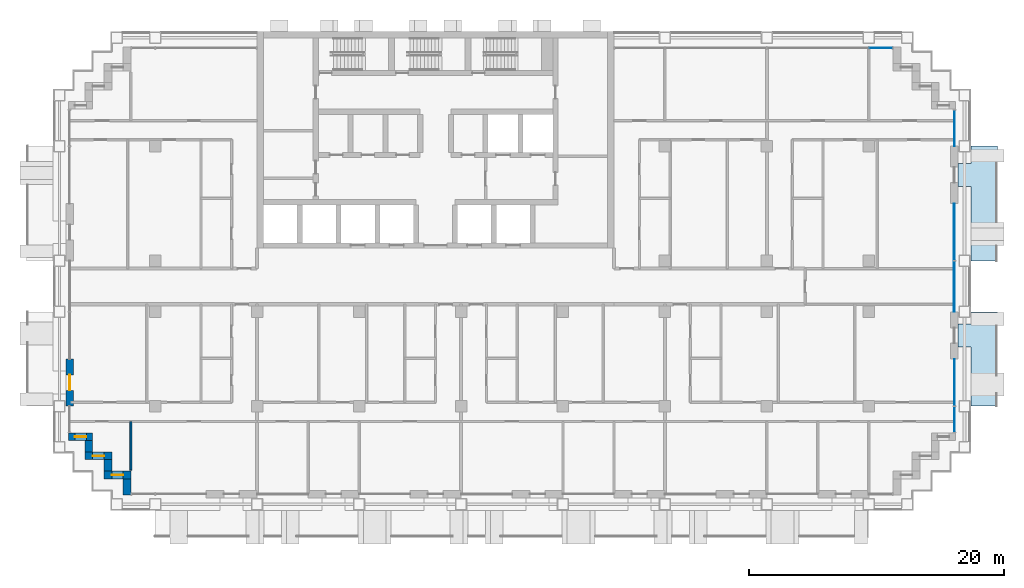
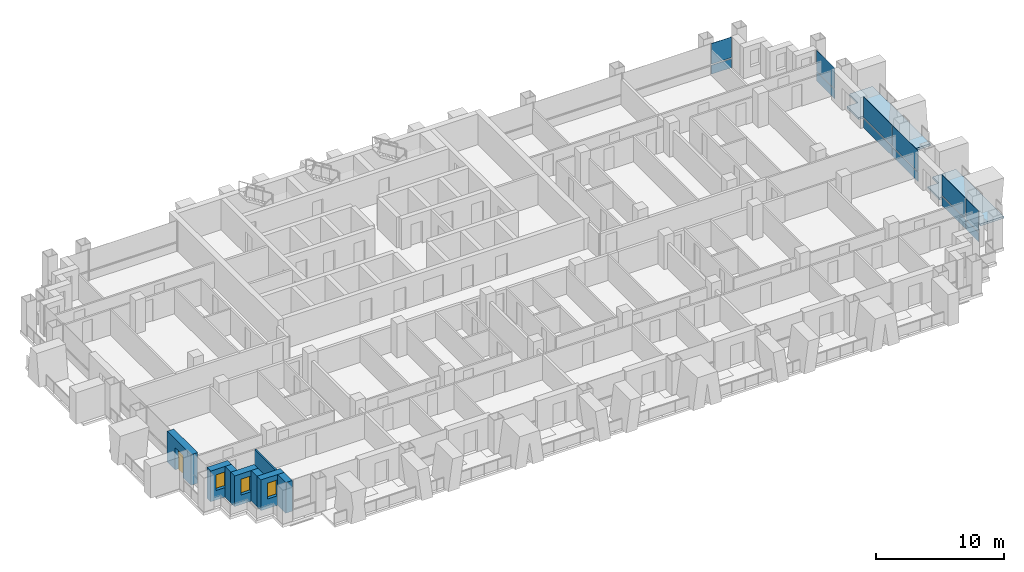
# One storey, part 8 of 17: 12 plates, 8 walls, 3 windows, 2 slabs, 1 door, 4 openings, 4 elements without a shape of their own.
"""IFC4 building model written with IfcOpenShell, lengths in metres."""

import ifcopenshell
import ifcopenshell.guid

model = None  # the IFC model being written
_history = None  # IfcOwnerHistory: only IFC2X3 demands one
_inside = {}  # id of a spatial element -> (the spatial element, [elements in it])
_under = {}  # id of a project, library or spatial element -> (it, [spatial elements below it])
_declared = {}  # id of a project -> (the project, [libraries it declares])
_typed = {}  # id of a type object -> (the type object, [elements of that type])
_made_of = {}  # id of a material, layer set ... -> (it, [elements and type objects made of it])


def new_model(schema):
    """Start an empty IFC model of exactly this schema.

    Asked for "IFC4X3", IfcOpenShell would pick the latest addendum, in which some entities
    have other attributes; the version numbers below select the first issue.
    IFC2X3 requires an IfcOwnerHistory on every rooted entity: one is made here for all.
    """
    global model, _history
    if schema == "IFC4X3":
        model = ifcopenshell.file(schema_version=(4, 3, 0, 0))
    else:
        model = ifcopenshell.file(schema=schema)
    _inside.clear()
    _under.clear()
    _declared.clear()
    _typed.clear()
    _made_of.clear()
    _history = None
    if model.schema == "IFC2X3":
        org = make("IfcOrganization", Name="unknown")
        user = make(
            "IfcPersonAndOrganization",
            ThePerson=make("IfcPerson", FamilyName="unknown"),
            TheOrganization=org,
        )
        app = make(
            "IfcApplication",
            ApplicationDeveloper=org,
            Version="unknown",
            ApplicationFullName="unknown",
            ApplicationIdentifier="unknown",
        )
        _history = make(
            "IfcOwnerHistory",
            OwningUser=user,
            OwningApplication=app,
            ChangeAction="ADDED",
            CreationDate=0,
        )
    return model


def make(cls, **values):
    """One entity of the class cls with the attributes given. An attribute that is None is left unset."""
    return model.create_entity(
        cls, **{name: value for name, value in values.items() if value is not None}
    )


def rooted(cls, **values):
    """An entity with a GlobalId (a new one), such as an element, a storey or a relation."""
    return make(cls, GlobalId=ifcopenshell.guid.new(), OwnerHistory=_history, **values)


def si_unit(unit_type, name, prefix=None):
    """IfcSIUnit, for example si_unit("LENGTHUNIT", "METRE", prefix="MILLI")."""
    return make("IfcSIUnit", UnitType=unit_type, Prefix=prefix, Name=name)


def assignment(units):
    """IfcUnitAssignment: the units of a project."""
    return None if units is None else make("IfcUnitAssignment", Units=units)


def point(xyz):
    """IfcCartesianPoint."""
    return None if xyz is None else make("IfcCartesianPoint", Coordinates=xyz)


def direction(xyz):
    """IfcDirection."""
    return None if xyz is None else make("IfcDirection", DirectionRatios=xyz)


def frame(location, z_axis=None, x_axis=None):
    """IfcAxis2Placement3D, a coordinate frame: its origin and axes. An axis left out is left unset."""
    return make(
        "IfcAxis2Placement3D",
        Location=point(location),
        Axis=direction(z_axis),
        RefDirection=direction(x_axis),
    )


def frame_2d(location, x_axis=None):
    """IfcAxis2Placement2D, a coordinate frame in the plane: its origin and x axis."""
    return make(
        "IfcAxis2Placement2D", Location=point(location), RefDirection=direction(x_axis)
    )


def origin():
    """The frame at (0, 0, 0) with its axes left unset."""
    return frame((0.0, 0.0, 0.0))


def origin_2d():
    """The frame at (0, 0) in the plane with its x axis left unset."""
    return frame_2d((0.0, 0.0))


def place(relative_to, where):
    """IfcLocalPlacement: puts the frame where relative to a parent placement (None: the world)."""
    return make(
        "IfcLocalPlacement", PlacementRelTo=relative_to, RelativePlacement=where
    )


def context(
    kind, dimensions, precision=None, world=None, true_north=None, identifier=None
):
    """IfcGeometricRepresentationContext, for example the 3D "Model" context."""
    return make(
        "IfcGeometricRepresentationContext",
        ContextIdentifier=identifier,
        ContextType=kind,
        CoordinateSpaceDimension=dimensions,
        Precision=precision,
        WorldCoordinateSystem=world,
        TrueNorth=true_north,
    )


def subcontext(parent, identifier, kind, view, scale=None):
    """IfcGeometricRepresentationSubContext, for example "Body" below "Model"."""
    return make(
        "IfcGeometricRepresentationSubContext",
        ContextIdentifier=identifier,
        ContextType=kind,
        ParentContext=parent,
        TargetScale=scale,
        TargetView=view,
    )


def project(units=None, contexts=None):
    """IfcProject with its units and contexts."""
    return rooted(
        "IfcProject",
        Name="project",
        RepresentationContexts=contexts,
        UnitsInContext=assignment(units),
    )


def spatial(cls, under=None, at=None, **own):
    """A site, building, storey or space (cls), placed at a placement, below another one or the project."""
    s = rooted(cls, ObjectPlacement=at, **own)
    if under is not None:
        _under.setdefault(under.id(), (under, []))[1].append(s)
    return s


def polyline(points):
    """IfcPolyline through the points."""
    return make("IfcPolyline", Points=[point(p) for p in points])


def profile(cls, at=None, kind="AREA", **sizes):
    """A parametric profile (cls). Its sizes go by their IFC names, for example OverallWidth=200.0."""
    return make(cls, ProfileType=kind, Position=at, **sizes)


def rectangle(**sizes):
    """IfcRectangleProfileDef."""
    return profile("IfcRectangleProfileDef", **sizes)


def outline(outer, holes=None, kind="AREA"):
    """IfcArbitraryClosedProfileDef: a profile drawn as a closed curve; with holes, ...WithVoids."""
    if holes is None:
        return make("IfcArbitraryClosedProfileDef", ProfileType=kind, OuterCurve=outer)
    return make(
        "IfcArbitraryProfileDefWithVoids",
        ProfileType=kind,
        OuterCurve=outer,
        InnerCurves=holes,
    )


def extrude(swept, where, along, depth):
    """IfcExtrudedAreaSolid: the profile swept, set in the frame where, extruded along a direction by depth."""
    return make(
        "IfcExtrudedAreaSolid",
        SweptArea=swept,
        Position=where,
        ExtrudedDirection=direction(along),
        Depth=depth,
    )


def shape(context_of_items, identifier, shape_type, items):
    """IfcShapeRepresentation: the items that make up one representation, for example the "Body"."""
    return make(
        "IfcShapeRepresentation",
        ContextOfItems=context_of_items,
        RepresentationIdentifier=identifier,
        RepresentationType=shape_type,
        Items=items,
    )


def material(Name=None, Category=None):
    """IfcMaterial."""
    return make("IfcMaterial", Name=Name, Category=Category)


def layer(
    of_material, thickness, ventilated=None, Name=None, Category=None, Priority=None
):
    """IfcMaterialLayer: one layer of a wall or slab, of a material (None: an air gap)."""
    return make(
        "IfcMaterialLayer",
        Material=of_material,
        LayerThickness=thickness,
        IsVentilated=ventilated,
        Name=Name,
        Category=Category,
        Priority=Priority,
    )


def layer_set(layers, Name=None):
    """IfcMaterialLayerSet."""
    return make("IfcMaterialLayerSet", MaterialLayers=layers, LayerSetName=Name)


def made_of(thing, what):
    """Note that an element or type object is made of a material, layer set ...; save() writes the relation."""
    if what is not None:
        _made_of.setdefault(what.id(), (what, []))[1].append(thing)
    return thing


def type_object(cls, material=None, **own):
    """A type object (cls), such as IfcWallType, which elements share."""
    return made_of(rooted(cls, **own), material)


def element(
    cls,
    number,
    at=None,
    inside=None,
    cuts=None,
    type_object=None,
    material=None,
    context=None,
    identifier="Body",
    shape_type=None,
    held_by="IfcProductDefinitionShape",
    body=None,
    shapes=None,
    **own,
):
    """One element of the class cls, such as IfcWall. Its Tag is "e" and its number.

    at: its placement. inside: the storey or other place that contains it. cuts: it is an
    opening in that element (IfcRelVoidsElement). A single representation is given by context,
    identifier, shape_type and body (its items); several are given by shapes. held_by: the class
    of the entity that holds the representations. save() writes the other relations.
    """
    e = rooted(cls, Tag="e%d" % number, ObjectPlacement=at, **own)
    if body is not None:
        shapes = [shape(context, identifier, shape_type, body)]
    if shapes is not None:
        e.Representation = make(held_by, Representations=shapes)
    if inside is not None:
        _inside.setdefault(inside.id(), (inside, []))[1].append(e)
    if cuts is not None:
        rooted(
            "IfcRelVoidsElement", RelatingBuildingElement=cuts, RelatedOpeningElement=e
        )
    if type_object is not None:
        _typed.setdefault(type_object.id(), (type_object, []))[1].append(e)
    return made_of(e, material)


def fill(opening, filler):
    """IfcRelFillsElement: the door or window that sits in an opening."""
    return rooted(
        "IfcRelFillsElement",
        RelatingOpeningElement=opening,
        RelatedBuildingElement=filler,
    )


def aggregate(whole, parts):
    """IfcRelAggregates: a whole, such as a stair, and the parts it consists of."""
    return rooted("IfcRelAggregates", RelatingObject=whole, RelatedObjects=parts)


def save(model, path):
    """Write the relations noted so far, then the file.

    IfcRelAggregates (storeys below a building ...), IfcRelContainedInSpatialStructure (elements
    in a storey), IfcRelDefinesByType, IfcRelAssociatesMaterial and IfcRelDeclares: one each for
    every whole, place, type object, material and project.
    """
    for whole, parts in _under.values():
        aggregate(whole, parts)
    for where, things in _inside.values():
        rooted(
            "IfcRelContainedInSpatialStructure",
            RelatedElements=things,
            RelatingStructure=where,
        )
    for kind, things in _typed.values():
        rooted("IfcRelDefinesByType", RelatedObjects=things, RelatingType=kind)
    for what, things in _made_of.values():
        rooted("IfcRelAssociatesMaterial", RelatedObjects=things, RelatingMaterial=what)
    for by, libraries in _declared.values():
        rooted("IfcRelDeclares", RelatingContext=by, RelatedDefinitions=libraries)
    model.write(path)


model = new_model("IFC4")

# Units and contexts
model_context = context("Model", 3, precision=1e-05, world=origin(), true_north=direction((0.0, 1.0)))
body_context = subcontext(model_context, "Body", "Model", "MODEL_VIEW")
ifc_project = project(units=[si_unit("LENGTHUNIT", "METRE"), si_unit("AREAUNIT", "SQUARE_METRE"), si_unit("VOLUMEUNIT", "CUBIC_METRE"), si_unit("PLANEANGLEUNIT", "RADIAN"), si_unit("MASSUNIT", "GRAM", prefix="KILO")], contexts=[model_context])

# Site, building, storey
site_placement = place(None, origin())
site = spatial("IfcSite", under=ifc_project, at=site_placement, CompositionType="ELEMENT")
building_placement = place(site_placement, origin())
building = spatial("IfcBuilding", under=site, at=building_placement, Name="Vidyagriha Tower", CompositionType="ELEMENT")
storey_placement = place(building_placement, frame((0.0, 0.0, 87.10009765625)))
storey = spatial("IfcBuildingStorey", under=building, at=storey_placement, Name="L22", CompositionType="ELEMENT", Elevation=87.10009765625)

# Curtain wall, plate
ifc_material_1 = material(Name="Aluminium and glass curtain wall", Category="aluminium")
curtain_wall_type = type_object("IfcCurtainWallType", Name="Dwelling skin unitised curtain wall", PredefinedType="USERDEFINED", material=ifc_material_1)
curtain_wall_1_placement = place(storey_placement, origin())
curtain_wall_1 = element("IfcCurtainWall", 1, at=curtain_wall_1_placement, inside=storey, type_object=curtain_wall_type, Name="CW1 dwelling skin", ObjectType="UNITISED", PredefinedType="USERDEFINED")
ifc_material_2 = material(Name="Glass dark ceramic-fritted spandrel", Category="glass")
ifc_layer_1 = layer(ifc_material_2, 0.0400390625)
ifc_layer_set_1 = layer_set([ifc_layer_1], Name="Glass dark ceramic-fritted spandrel")
plate_type_1 = type_object("IfcPlateType", Name="Ceramic-fritted spandrel panel", PredefinedType="CURTAIN_PANEL", material=ifc_layer_set_1)
plate_1_placement = place(storey_placement, frame((34.9326171875, 18.699951171875, -0.000244140625), z_axis=(0.0, 0.0, 1.0), x_axis=(-1.0, 0.0, 0.0)))
plate_1 = element("IfcPlate", 2, at=plate_1_placement, type_object=plate_type_1, Name="CW1 panel 1.1", PredefinedType="CURTAIN_PANEL", context=body_context, shape_type="SweptSolid", body=[
    extrude(rectangle(XDim=1.794921875, YDim=0.0400390625, at=origin_2d()), origin(), (0.0, 0.0, 1.0), 0.85009765625),
])

# Curtain wall, plates
curtain_wall_2_placement = place(storey_placement, origin())
curtain_wall_2 = element("IfcCurtainWall", 3, at=curtain_wall_2_placement, inside=storey, type_object=curtain_wall_type, Name="CW1 dwelling skin", ObjectType="UNITISED", PredefinedType="USERDEFINED")
plate_2_placement = place(storey_placement, frame((40.699951171875, -10.4326171875, -0.000244140625), z_axis=(0.0, 0.0, 1.0), x_axis=(0.0, 1.0, 0.0)))
plate_2 = element("IfcPlate", 4, at=plate_2_placement, type_object=plate_type_1, Name="CW1 panel 1.1", PredefinedType="CURTAIN_PANEL", context=body_context, shape_type="SweptSolid", body=[
    extrude(rectangle(XDim=1.9951171875, YDim=0.0400390625, at=origin_2d()), origin(), (0.0, 0.0, 1.0), 0.85009765625),
])
plate_3_placement = place(storey_placement, frame((40.699951171875, -7.532470703125, -0.000244140625), z_axis=(0.0, 0.0, 1.0), x_axis=(0.0, 1.0, 0.0)))
plate_3 = element("IfcPlate", 5, at=plate_3_placement, type_object=plate_type_1, Name="CW1 panel 2.1", PredefinedType="CURTAIN_PANEL", context=body_context, shape_type="SweptSolid", body=[
    extrude(rectangle(XDim=3.6650390625, YDim=0.0400390625, at=origin_2d()), origin(), (0.0, 0.0, 1.0), 0.85009765625),
])

# Curtain wall, plate
curtain_wall_3_placement = place(storey_placement, origin())
curtain_wall_3 = element("IfcCurtainWall", 6, at=curtain_wall_3_placement, inside=storey, type_object=curtain_wall_type, Name="CW1 dwelling skin", ObjectType="UNITISED", PredefinedType="USERDEFINED")
plate_4_placement = place(storey_placement, frame((40.699951171875, 12.4150390625, -0.000244140625), z_axis=(0.0, 0.0, 1.0), x_axis=(0.0, 1.0, 0.0)))
plate_4 = element("IfcPlate", 7, at=plate_4_placement, type_object=plate_type_1, Name="CW1 panel 1.1", PredefinedType="CURTAIN_PANEL", context=body_context, shape_type="SweptSolid", body=[
    extrude(rectangle(XDim=2.830078125, YDim=0.0400390625, at=origin_2d()), origin(), (0.0, 0.0, 1.0), 0.85009765625),
])

# Plate
ifc_material_3 = material(Name="Glass dark ceramic-fritted", Category="glass")
ifc_layer_2 = layer(ifc_material_3, 0.028076171875)
ifc_layer_set_2 = layer_set([ifc_layer_2], Name="Glass dark ceramic-fritted")
plate_type_2 = type_object("IfcPlateType", Name="Dark ceramic-fritted vision glass panel", PredefinedType="CURTAIN_PANEL", material=ifc_layer_set_2)
plate_5_placement = place(storey_placement, frame((34.9326171875, 18.699951171875, 0.94970703125), z_axis=(0.0, 0.0, 1.0), x_axis=(-1.0, 0.0, 0.0)))
plate_5 = element("IfcPlate", 8, at=plate_5_placement, type_object=plate_type_2, Name="CW1 panel 1.2", PredefinedType="CURTAIN_PANEL", context=body_context, shape_type="SweptSolid", body=[
    extrude(rectangle(XDim=1.794921875, YDim=0.028076171875, at=origin_2d()), origin(), (0.0, 0.0, 1.0), 1.969970703125),
])

aggregate(curtain_wall_1, [plate_1, plate_5])

plate_6_placement = place(storey_placement, frame((40.699951171875, -10.4326171875, 0.94970703125), z_axis=(0.0, 0.0, 1.0), x_axis=(0.0, 1.0, 0.0)))
plate_6 = element("IfcPlate", 9, at=plate_6_placement, type_object=plate_type_2, Name="CW1 panel 1.2", PredefinedType="CURTAIN_PANEL", context=body_context, shape_type="SweptSolid", body=[
    extrude(rectangle(XDim=1.9951171875, YDim=0.028076171875, at=origin_2d()), origin(), (0.0, 0.0, 1.0), 1.969970703125),
])

plate_7_placement = place(storey_placement, frame((40.699951171875, -7.532470703125, 0.94970703125), z_axis=(0.0, 0.0, 1.0), x_axis=(0.0, 1.0, 0.0)))
plate_7 = element("IfcPlate", 10, at=plate_7_placement, type_object=plate_type_2, Name="CW1 panel 2.2", PredefinedType="CURTAIN_PANEL", context=body_context, shape_type="SweptSolid", body=[
    extrude(rectangle(XDim=3.6650390625, YDim=0.028076171875, at=origin_2d()), origin(), (0.0, 0.0, 1.0), 1.969970703125),
])

aggregate(curtain_wall_2, [plate_2, plate_6, plate_3, plate_7])

# Curtain wall, plates
curtain_wall_4_placement = place(storey_placement, origin())
curtain_wall_4 = element("IfcCurtainWall", 11, at=curtain_wall_4_placement, inside=storey, type_object=curtain_wall_type, Name="CW1 dwelling skin", ObjectType="UNITISED", PredefinedType="USERDEFINED")
plate_8_placement = place(storey_placement, frame((40.699951171875, -0.017578125, 0.94970703125), z_axis=(0.0, 0.0, 1.0), x_axis=(0.0, 1.0, 0.0)))
plate_8 = element("IfcPlate", 12, at=plate_8_placement, type_object=plate_type_2, Name="CW1 panel 1.2", PredefinedType="CURTAIN_PANEL", context=body_context, shape_type="SweptSolid", body=[
    extrude(rectangle(XDim=3.965087890625, YDim=0.028076171875, at=origin_2d()), origin(), (0.0, 0.0, 1.0), 1.969970703125),
])
plate_9_placement = place(storey_placement, frame((40.699951171875, 4.267578125, 0.94970703125), z_axis=(0.0, 0.0, 1.0), x_axis=(0.0, 1.0, 0.0)))
plate_9 = element("IfcPlate", 13, at=plate_9_placement, type_object=plate_type_2, Name="CW1 panel 2.2", PredefinedType="CURTAIN_PANEL", context=body_context, shape_type="SweptSolid", body=[
    extrude(rectangle(XDim=4.465087890625, YDim=0.028076171875, at=origin_2d()), origin(), (0.0, 0.0, 1.0), 1.969970703125),
])

# Plate
plate_10_placement = place(storey_placement, frame((40.699951171875, 12.4150390625, 0.94970703125), z_axis=(0.0, 0.0, 1.0), x_axis=(0.0, 1.0, 0.0)))
plate_10 = element("IfcPlate", 14, at=plate_10_placement, type_object=plate_type_2, Name="CW1 panel 1.2", PredefinedType="CURTAIN_PANEL", context=body_context, shape_type="SweptSolid", body=[
    extrude(rectangle(XDim=2.830078125, YDim=0.028076171875, at=origin_2d()), origin(), (0.0, 0.0, 1.0), 1.969970703125),
])

aggregate(curtain_wall_3, [plate_4, plate_10])

ifc_material_4 = material(Name="Aluminium black anodised", Category="aluminium")
ifc_layer_3 = layer(ifc_material_4, 0.06005859375)
ifc_layer_set_3 = layer_set([ifc_layer_3], Name="Aluminium black anodised")
plate_type_3 = type_object("IfcPlateType", Name="Operable black-metal vent panel", PredefinedType="CURTAIN_PANEL", material=ifc_layer_set_3)
plate_11_placement = place(storey_placement, frame((40.699951171875, -0.017578125, -0.000244140625), z_axis=(0.0, 0.0, 1.0), x_axis=(0.0, 1.0, 0.0)))
plate_11 = element("IfcPlate", 15, at=plate_11_placement, type_object=plate_type_3, Name="CW1 panel 1.1", PredefinedType="CURTAIN_PANEL", context=body_context, shape_type="SweptSolid", body=[
    extrude(rectangle(XDim=3.965087890625, YDim=0.06005859375, at=origin_2d()), origin(), (0.0, 0.0, 1.0), 0.85009765625),
])

plate_12_placement = place(storey_placement, frame((40.699951171875, 4.267578125, -0.000244140625), z_axis=(0.0, 0.0, 1.0), x_axis=(0.0, 1.0, 0.0)))
plate_12 = element("IfcPlate", 16, at=plate_12_placement, type_object=plate_type_3, Name="CW1 panel 2.1", PredefinedType="CURTAIN_PANEL", context=body_context, shape_type="SweptSolid", body=[
    extrude(rectangle(XDim=4.465087890625, YDim=0.06005859375, at=origin_2d()), origin(), (0.0, 0.0, 1.0), 0.85009765625),
])

aggregate(curtain_wall_4, [plate_11, plate_8, plate_12, plate_9])

# Slabs
ifc_material_5 = material(Name="Precast concrete C40/50", Category="concrete")
ifc_layer_4 = layer(ifc_material_5, 0.199951171875)
ifc_layer_set_4 = layer_set([ifc_layer_4], Name="Precast concrete C40/50")
slab_type = type_object("IfcSlabType", Name="Precast balcony slab 200", PredefinedType="USERDEFINED", material=ifc_layer_set_4)
slab_1_placement = place(storey_placement, frame((0.0, 0.0, -0.2001953125)))
element("IfcSlab", 17, at=slab_1_placement, inside=storey, type_object=slab_type, Name="Balcony slab L22 R30.1-1", ObjectType="BALCONY", PredefinedType="USERDEFINED", context=body_context, shape_type="SweptSolid", body=[
    extrude(outline(polyline([(42.0, -4.75), (42.0, -9.39990234375), (44.10009765625, -9.39990234375), (44.10009765625, -2.0), (42.0, -2.0), (42.0, -2.949951171875), (41.0, -2.949951171875), (41.0, -4.75), (42.0, -4.75)])), origin(), (0.0, 0.0, 1.0), 0.2001953125),
])
slab_2_placement = place(storey_placement, frame((0.0, 0.0, -0.2001953125)))
element("IfcSlab", 18, at=slab_2_placement, inside=storey, type_object=slab_type, Name="Balcony slab L22 R30.2-2", ObjectType="BALCONY", PredefinedType="USERDEFINED", context=body_context, shape_type="SweptSolid", body=[
    extrude(outline(polyline([(42.0, 7.85009765625), (42.0, 2.0), (44.10009765625, 2.0), (44.10009765625, 11.0), (42.0, 11.0), (42.0, 9.64990234375), (41.0, 9.64990234375), (41.0, 7.85009765625), (42.0, 7.85009765625)])), origin(), (0.0, 0.0, 1.0), 0.2001953125),
])

# Wall, opening, door
ifc_material_6 = material(Name="Precast concrete C40/50 with brick facing", Category="concrete")
ifc_layer_5 = layer(ifc_material_6, 0.60009765625)
ifc_layer_set_5 = layer_set([ifc_layer_5], Name="Precast concrete C40/50 with brick facing")
wall_type_1 = type_object("IfcWallType", Name="Brick-faced precast wall 600", PredefinedType="STANDARD", material=ifc_layer_set_5)
wall_1_placement = place(storey_placement, frame((-28.699951171875, -5.699951171875, 0.0), z_axis=(0.0, 0.0, 1.0), x_axis=(0.0, -1.0, 0.0)))
wall_1 = element("IfcWall", 19, at=wall_1_placement, inside=storey, type_object=wall_type_1, Name="Brick door bay wall L22 R16.6", PredefinedType="STANDARD", context=body_context, shape_type="SweptSolid", body=[
    extrude(rectangle(XDim=3.699951171875, YDim=0.60009765625, at=frame_2d((1.85009765625, 0.0))), origin(), (0.0, 0.0, 1.0), 2.919921875),
])
opening_1_placement = place(wall_1_placement, frame((1.25, 0.0, 0.0)))
opening_1 = element("IfcOpeningElement", 20, at=opening_1_placement, cuts=wall_1, Name="Opening D22-73", PredefinedType="OPENING", context=body_context, shape_type="SweptSolid", body=[
    extrude(rectangle(XDim=1.199951171875, YDim=2.10009765625, at=frame_2d((0.60009765625, 1.050048828125))), frame((0.0, 0.31005859375, 0.0), z_axis=(0.0, -1.0, 0.0), x_axis=(1.0, 0.0, 0.0)), (0.0, 0.0, 1.0), 0.6201171875),
])
ifc_material_7 = material(Name="Aluminium framed glazed sliding door", Category="aluminium")
door_type = type_object("IfcDoorType", Name="Balcony sliding door 1200x2100", OperationType="NOTDEFINED", PredefinedType="DOOR", material=ifc_material_7)
door_placement = place(opening_1_placement, origin())
door = element("IfcDoor", 21, at=door_placement, inside=storey, type_object=door_type, Name="Door D22-73", OperationType="SLIDING_TO_LEFT", OverallHeight=2.10009765625, OverallWidth=1.199951171875, PredefinedType="DOOR", context=body_context, shape_type="SweptSolid", body=[
    extrude(rectangle(XDim=1.199951171875, YDim=2.10009765625, at=frame_2d((0.60009765625, 1.050048828125))), frame((0.0, 0.02490234375, 0.0), z_axis=(0.0, -1.0, 0.0), x_axis=(1.0, 0.0, 0.0)), (0.0, 0.0, 1.0), 0.050048828125),
])
fill(opening_1, door)

# Wall, opening, window
wall_2_placement = place(storey_placement, frame((-28.780029296875, -11.800048828125, 0.0)))
wall_2 = element("IfcWall", 22, at=wall_2_placement, inside=storey, type_object=wall_type_1, Name="Stepped corner wall L22 R17", PredefinedType="STANDARD", context=body_context, shape_type="SweptSolid", body=[
    extrude(rectangle(XDim=1.880126953125, YDim=0.60009765625, at=frame_2d((0.93994140625, 0.0))), origin(), (0.0, 0.0, 1.0), 2.919921875),
])
opening_2_placement = place(wall_2_placement, frame((0.489990234375, 0.0, 0.89990234375)))
opening_2 = element("IfcOpeningElement", 23, at=opening_2_placement, cuts=wall_2, Name="Opening WN1", PredefinedType="OPENING", context=body_context, shape_type="SweptSolid", body=[
    extrude(rectangle(XDim=0.89990234375, YDim=1.5, at=frame_2d((0.449951171875, 0.75))), frame((0.0, 0.31005859375, 0.0), z_axis=(0.0, -1.0, 0.0), x_axis=(1.0, 0.0, 0.0)), (0.0, 0.0, 1.0), 0.6201171875),
])
ifc_material_8 = material(Name="Aluminium and glass window", Category="aluminium")
window_type = type_object("IfcWindowType", Name="Reveal window 900x1500", PartitioningType="NOTDEFINED", PredefinedType="WINDOW", material=ifc_material_8)
window_1_placement = place(opening_2_placement, origin())
window_1 = element("IfcWindow", 24, at=window_1_placement, inside=storey, type_object=window_type, Name="Reveal window L22 R17", OverallHeight=1.5, OverallWidth=0.89990234375, PartitioningType="SINGLE_PANEL", PredefinedType="WINDOW", context=body_context, shape_type="SweptSolid", body=[
    extrude(rectangle(XDim=0.89990234375, YDim=1.5, at=frame_2d((0.449951171875, 0.75))), frame((0.0, 0.030029296875, 0.0), z_axis=(0.0, -1.0, 0.0), x_axis=(1.0, 0.0, 0.0)), (0.0, 0.0, 1.0), 0.06005859375),
])
fill(opening_2, window_1)

# Wall
wall_3_placement = place(storey_placement, frame((-27.199951171875, -12.10009765625, 0.0), z_axis=(0.0, 0.0, 1.0), x_axis=(0.0, -1.0, 0.0)))
element("IfcWall", 25, at=wall_3_placement, inside=storey, type_object=wall_type_1, Name="Stepped corner wall L22 R18", PredefinedType="STANDARD", context=body_context, shape_type="SweptSolid", body=[
    extrude(rectangle(XDim=0.89990234375, YDim=0.60009765625, at=frame_2d((0.449951171875, 0.0))), origin(), (0.0, 0.0, 1.0), 2.919921875),
])

# Wall, opening, window
wall_4_placement = place(storey_placement, frame((-27.5, -13.300048828125, 0.0)))
wall_4 = element("IfcWall", 26, at=wall_4_placement, inside=storey, type_object=wall_type_1, Name="Stepped corner wall L22 R19", PredefinedType="STANDARD", context=body_context, shape_type="SweptSolid", body=[
    extrude(rectangle(XDim=2.10009765625, YDim=0.60009765625, at=frame_2d((1.050048828125, 0.0))), origin(), (0.0, 0.0, 1.0), 2.919921875),
])
opening_3_placement = place(wall_4_placement, frame((0.60009765625, 0.0, 0.89990234375)))
opening_3 = element("IfcOpeningElement", 27, at=opening_3_placement, cuts=wall_4, Name="Opening WN1", PredefinedType="OPENING", context=body_context, shape_type="SweptSolid", body=[
    extrude(rectangle(XDim=0.89990234375, YDim=1.5, at=frame_2d((0.449951171875, 0.75))), frame((0.0, 0.31005859375, 0.0), z_axis=(0.0, -1.0, 0.0), x_axis=(1.0, 0.0, 0.0)), (0.0, 0.0, 1.0), 0.6201171875),
])
window_2_placement = place(opening_3_placement, origin())
window_2 = element("IfcWindow", 28, at=window_2_placement, inside=storey, type_object=window_type, Name="Reveal window L22 R19", OverallHeight=1.5, OverallWidth=0.89990234375, PartitioningType="SINGLE_PANEL", PredefinedType="WINDOW", context=body_context, shape_type="SweptSolid", body=[
    extrude(rectangle(XDim=0.89990234375, YDim=1.5, at=frame_2d((0.449951171875, 0.75))), frame((0.0, 0.030029296875, 0.0), z_axis=(0.0, -1.0, 0.0), x_axis=(1.0, 0.0, 0.0)), (0.0, 0.0, 1.0), 0.06005859375),
])
fill(opening_3, window_2)

# Wall
wall_5_placement = place(storey_placement, frame((-25.699951171875, -13.60009765625, 0.0), z_axis=(0.0, 0.0, 1.0), x_axis=(0.0, -1.0, 0.0)))
element("IfcWall", 29, at=wall_5_placement, inside=storey, type_object=wall_type_1, Name="Stepped corner wall L22 R20", PredefinedType="STANDARD", context=body_context, shape_type="SweptSolid", body=[
    extrude(rectangle(XDim=0.89990234375, YDim=0.60009765625, at=frame_2d((0.449951171875, 0.0))), origin(), (0.0, 0.0, 1.0), 2.919921875),
])

# Wall, opening, window
wall_6_placement = place(storey_placement, frame((-26.0, -14.800048828125, 0.0)))
wall_6 = element("IfcWall", 30, at=wall_6_placement, inside=storey, type_object=wall_type_1, Name="Stepped corner wall L22 R21", PredefinedType="STANDARD", context=body_context, shape_type="SweptSolid", body=[
    extrude(rectangle(XDim=2.10009765625, YDim=0.60009765625, at=frame_2d((1.050048828125, 0.0))), origin(), (0.0, 0.0, 1.0), 2.919921875),
])
opening_4_placement = place(wall_6_placement, frame((0.60009765625, 0.0, 0.89990234375)))
opening_4 = element("IfcOpeningElement", 31, at=opening_4_placement, cuts=wall_6, Name="Opening WN1", PredefinedType="OPENING", context=body_context, shape_type="SweptSolid", body=[
    extrude(rectangle(XDim=0.89990234375, YDim=1.5, at=frame_2d((0.449951171875, 0.75))), frame((0.0, 0.31005859375, 0.0), z_axis=(0.0, -1.0, 0.0), x_axis=(1.0, 0.0, 0.0)), (0.0, 0.0, 1.0), 0.6201171875),
])
window_3_placement = place(opening_4_placement, origin())
window_3 = element("IfcWindow", 32, at=window_3_placement, inside=storey, type_object=window_type, Name="Reveal window L22 R21", OverallHeight=1.5, OverallWidth=0.89990234375, PartitioningType="SINGLE_PANEL", PredefinedType="WINDOW", context=body_context, shape_type="SweptSolid", body=[
    extrude(rectangle(XDim=0.89990234375, YDim=1.5, at=frame_2d((0.449951171875, 0.75))), frame((0.0, 0.030029296875, 0.0), z_axis=(0.0, -1.0, 0.0), x_axis=(1.0, 0.0, 0.0)), (0.0, 0.0, 1.0), 0.06005859375),
])
fill(opening_4, window_3)

# Walls
wall_7_placement = place(storey_placement, frame((-24.199951171875, -15.10009765625, 0.0), z_axis=(0.0, 0.0, 1.0), x_axis=(0.0, -1.0, 0.0)))
element("IfcWall", 33, at=wall_7_placement, inside=storey, type_object=wall_type_1, Name="Stepped corner wall L22 R22", PredefinedType="STANDARD", context=body_context, shape_type="SweptSolid", body=[
    extrude(rectangle(XDim=1.27978515625, YDim=0.60009765625, at=frame_2d((0.639892578125, 0.0))), origin(), (0.0, 0.0, 1.0), 2.919921875),
])
ifc_material_9 = material(Name="Gypsum board partition")
ifc_layer_6 = layer(ifc_material_9, 0.14990234375)
ifc_layer_set_6 = layer_set([ifc_layer_6], Name="Gypsum board partition")
wall_type_2 = type_object("IfcWallType", Name="Gypsum board partition 150", PredefinedType="PARTITIONING", material=ifc_layer_set_6)
wall_8_placement = place(storey_placement, frame((-23.89990234375, -10.60009765625, 0.0), z_axis=(0.0, 0.0, 1.0), x_axis=(0.0, -1.0, 0.0)))
element("IfcWall", 34, at=wall_8_placement, inside=storey, type_object=wall_type_2, Name="Wall all-L22-w013", PredefinedType="PARTITIONING", context=body_context, shape_type="SweptSolid", body=[
    extrude(rectangle(XDim=3.81982421875, YDim=0.14990234375, at=frame_2d((1.909912109375, 0.0))), origin(), (0.0, 0.0, 1.0), 2.39990234375),
])

save(model, "model.ifc")
